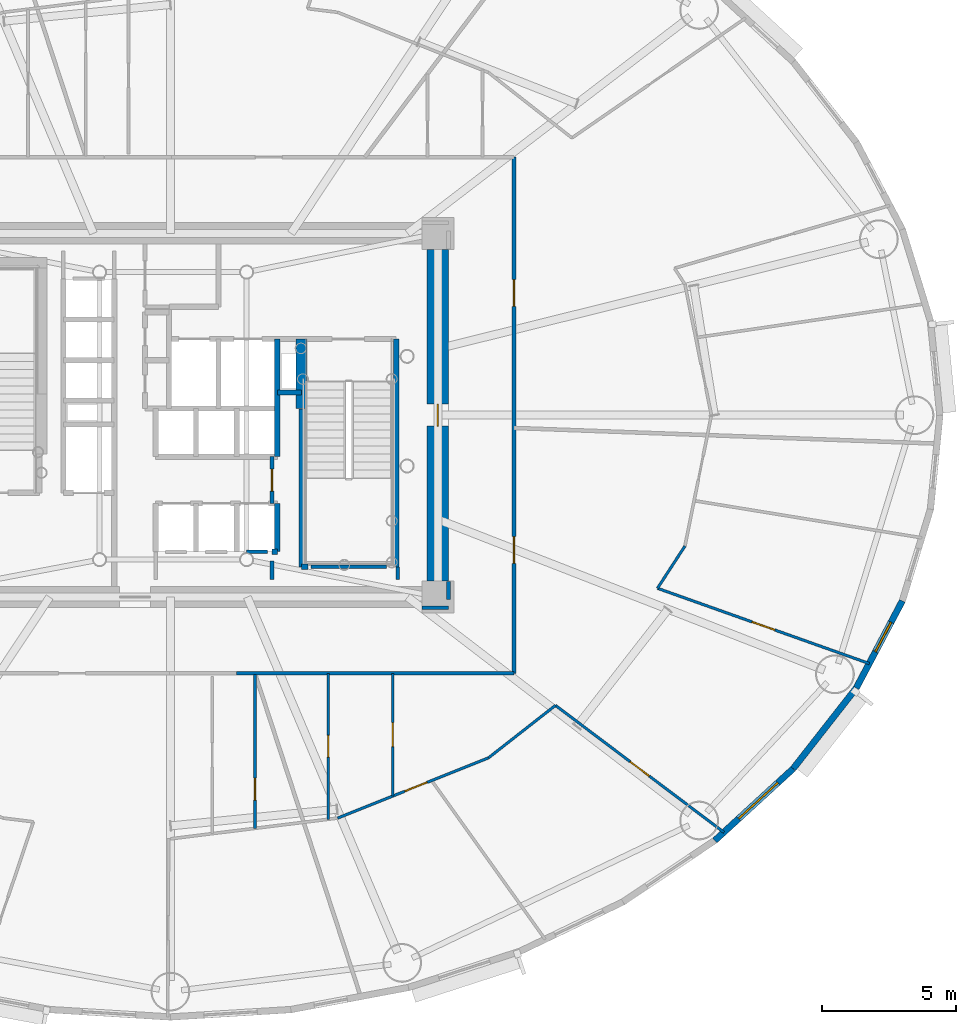
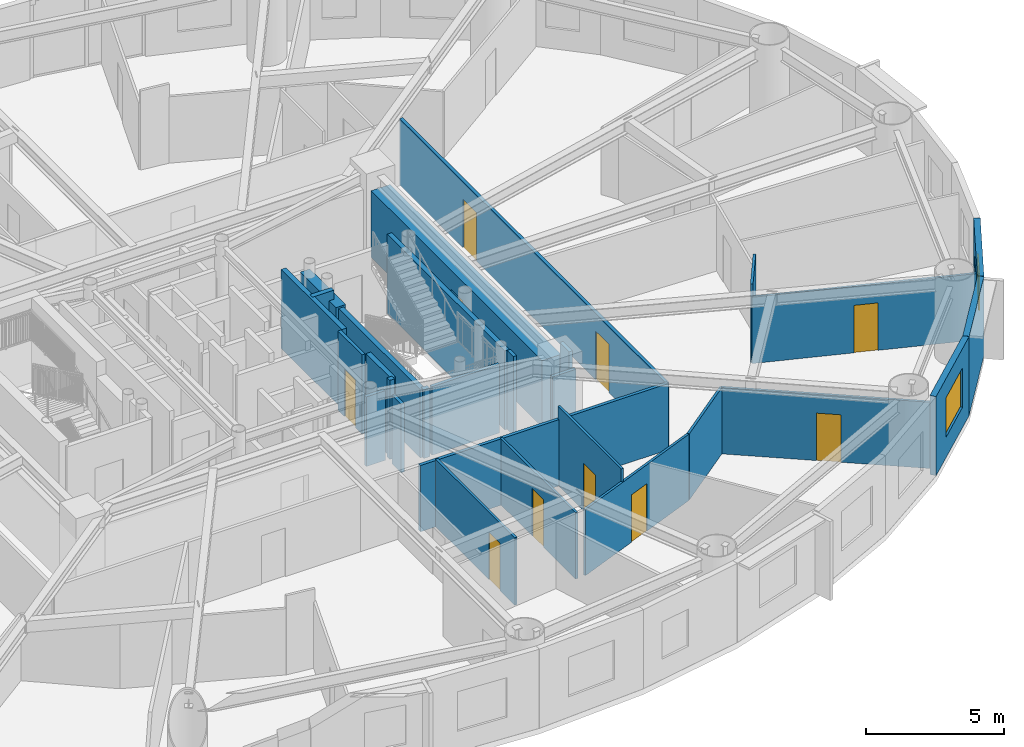
# One storey, part 11 of 19: 29 walls, 10 doors, 2 windows, 12 openings.
"""IFC4 building model written with IfcOpenShell, lengths in metres."""

from ifc_helpers import new_model, si_unit, direction, frame, frame_2d, origin, origin_2d, place, context, subcontext, project, spatial, rectangle, extrude, source, transform, mapped, material, layer, layer_set, type_object, element, fill, save


model = new_model("IFC4")

# Units and contexts
model_context = context("Model", 3, precision=1e-05, world=origin(), true_north=direction((0.0, 1.0)))
body_context = subcontext(model_context, "Body", "Model", "MODEL_VIEW")
ifc_project = project(units=[si_unit("LENGTHUNIT", "METRE"), si_unit("AREAUNIT", "SQUARE_METRE"), si_unit("VOLUMEUNIT", "CUBIC_METRE"), si_unit("PLANEANGLEUNIT", "RADIAN"), si_unit("MASSUNIT", "GRAM", prefix="KILO")], contexts=[model_context])

# Site, building, storey
site_placement = place(None, origin())
site = spatial("IfcSite", under=ifc_project, at=site_placement, CompositionType="ELEMENT")
building_placement = place(site_placement, origin())
building = spatial("IfcBuilding", under=site, at=building_placement, Name="Linh Dai School and Residence Tower", CompositionType="ELEMENT")
storey_placement = place(building_placement, frame((0.0, 0.0, 112.199951171875)))
storey = spatial("IfcBuildingStorey", under=building, at=storey_placement, Name="L26", CompositionType="ELEMENT", Elevation=112.199951171875)

# Wall, opening, window
ifc_material_1 = material(Name="Precast Concrete B45 (C35/45)", Category="concrete")
ifc_layer_1 = layer(ifc_material_1, 0.239990234375)
ifc_layer_set_1 = layer_set([ifc_layer_1], Name="Precast Concrete B45 (C35/45)")
wall_type_1 = type_object("IfcWallType", Name="EW-TC-240", PredefinedType="SOLIDWALL", material=ifc_layer_set_1)
wall_1_placement = place(storey_placement, frame((59.2890625, 13.783447265625, 0.0), z_axis=(0.0, 0.0, 1.0), x_axis=(-0.737113356241, -0.675769117414, 0.0)))
wall_1 = element("IfcWall", 1, at=wall_1_placement, inside=storey, type_object=wall_type_1, Name="L26 Terracotta Exterior Wall 36", PredefinedType="SOLIDWALL", context=body_context, shape_type="SweptSolid", body=[
    extrude(rectangle(XDim=3.975830078125, YDim=0.239990234375, at=frame_2d((1.98779296875, 0.0))), origin(), (0.0, 0.0, 1.0), 3.5),
])
opening_1_placement = place(wall_1_placement, frame((0.776123046875, 0.0, 0.89990234375)))
opening_1 = element("IfcOpeningElement", 2, at=opening_1_placement, cuts=wall_1, Name="Opening W1", PredefinedType="OPENING", context=body_context, shape_type="SweptSolid", body=[
    extrude(rectangle(XDim=2.0, YDim=1.75, at=origin_2d()), frame((1.0, 0.1298828125, 0.875), z_axis=(0.0, -1.0, 0.0), x_axis=(1.0, 0.0, 0.0)), (0.0, 0.0, 1.0), 0.260009765625),
])
ifc_material_2 = material(Name="Double Low-E Insulated Glazing", Category="glass")
window_type_1 = type_object("IfcWindowType", Name="WN-RES-2000x1750", PartitioningType="DOUBLE_PANEL_VERTICAL", PredefinedType="WINDOW", material=ifc_material_2)
shared_shape_1 = source(origin(), body_context, "Body", "SweptSolid", [
    extrude(rectangle(XDim=2.0, YDim=1.75, at=origin_2d()), frame((1.0, 0.030029296875, 0.875), z_axis=(0.0, -1.0, 0.0), x_axis=(1.0, 0.0, 0.0)), (0.0, 0.0, 1.0), 0.06005859375),
])
window_1_placement = place(opening_1_placement, origin())
window_1 = element("IfcWindow", 3, at=window_1_placement, inside=storey, type_object=window_type_1, Name="L26 Exterior Window 36.1", OverallHeight=1.75, OverallWidth=2.0, PartitioningType="DOUBLE_PANEL_VERTICAL", PredefinedType="WINDOW", context=body_context, shape_type="MappedRepresentation", body=[
    mapped(shared_shape_1, transform((0.0, 0.0, 0.0), x_axis=(1.0, 0.0, 0.0), y_axis=(0.0, 1.0, 0.0), z_axis=(0.0, 0.0, 1.0), scale=1.0)),
])
fill(opening_1, window_1)

# Wall
wall_2_placement = place(storey_placement, frame((61.645263671875, 16.79443359375, 0.0), z_axis=(0.0, 0.0, 1.0), x_axis=(-0.616272103517, -0.787533297345, 0.0)))
element("IfcWall", 4, at=wall_2_placement, inside=storey, type_object=wall_type_1, Name="L26 Terracotta Exterior Wall 37", PredefinedType="SOLIDWALL", context=body_context, shape_type="SweptSolid", body=[
    extrude(rectangle(XDim=3.8232421875, YDim=0.239990234375, at=frame_2d((1.91162109375, 0.0))), origin(), (0.0, 0.0, 1.0), 3.5),
])

# Wall, opening, window
wall_3_placement = place(storey_placement, frame((63.3701171875, 20.054931640625, 0.0), z_axis=(0.0, 0.0, 1.0), x_axis=(-0.467614004126, -0.883932770716, 0.0)))
wall_3 = element("IfcWall", 5, at=wall_3_placement, inside=storey, type_object=wall_type_1, Name="L26 Terracotta Exterior Wall 38", PredefinedType="SOLIDWALL", context=body_context, shape_type="SweptSolid", body=[
    extrude(rectangle(XDim=3.688720703125, YDim=0.239990234375, at=frame_2d((1.84423828125, 0.0))), origin(), (0.0, 0.0, 1.0), 3.5),
])
opening_2_placement = place(wall_3_placement, frame((0.90380859375, 0.0, 0.89990234375)))
opening_2 = element("IfcOpeningElement", 6, at=opening_2_placement, cuts=wall_3, Name="Opening W3", PredefinedType="OPENING", context=body_context, shape_type="SweptSolid", body=[
    extrude(rectangle(XDim=1.25, YDim=1.64990234375, at=origin_2d()), frame((0.625, 0.1298828125, 0.824951171875), z_axis=(0.0, -1.0, 0.0), x_axis=(1.0, 0.0, 0.0)), (0.0, 0.0, 1.0), 0.260009765625),
])
window_type_2 = type_object("IfcWindowType", Name="WN-RES-1250x1650", PartitioningType="SINGLE_PANEL", PredefinedType="WINDOW", material=ifc_material_2)
shared_shape_2 = source(origin(), body_context, "Body", "SweptSolid", [
    extrude(rectangle(XDim=1.25, YDim=1.64990234375, at=origin_2d()), frame((0.625, 0.030029296875, 0.824951171875), z_axis=(0.0, -1.0, 0.0), x_axis=(1.0, 0.0, 0.0)), (0.0, 0.0, 1.0), 0.06005859375),
])
window_2_placement = place(opening_2_placement, origin())
window_2 = element("IfcWindow", 7, at=window_2_placement, inside=storey, type_object=window_type_2, Name="L26 Exterior Window 38.1", OverallHeight=1.64990234375, OverallWidth=1.25, PartitioningType="SINGLE_PANEL", PredefinedType="WINDOW", context=body_context, shape_type="MappedRepresentation", body=[
    mapped(shared_shape_2, transform((0.0, 0.0, 0.0), x_axis=(1.0, 0.0, 0.0), y_axis=(0.0, 1.0, 0.0), z_axis=(0.0, 0.0, 1.0), scale=1.0)),
])
fill(opening_2, window_2)

# Wall
ifc_material_3 = material(Name="Autoclaved Aerated Concrete Blockwork", Category="masonry")
ifc_layer_2 = layer(ifc_material_3, 0.135009765625)
ifc_layer_set_2 = layer_set([ifc_layer_2], Name="Autoclaved Aerated Concrete Blockwork")
wall_type_2 = type_object("IfcWallType", Name="IW-CORR-135-EI90", PredefinedType="PARTITIONING", material=ifc_layer_set_2)
wall_4_placement = place(storey_placement, frame((38.47705078125, 17.35009765625, 0.0), z_axis=(0.0, 0.0, 1.0), x_axis=(1.0, 0.0, 0.0)))
element("IfcWall", 8, at=wall_4_placement, inside=storey, type_object=wall_type_2, Name="L26 Interior Partition Wall 064", PredefinedType="PARTITIONING", context=body_context, shape_type="SweptSolid", body=[
    extrude(rectangle(XDim=10.373046875, YDim=0.135009765625, at=frame_2d((5.1865234375, 0.0))), origin(), (0.0, 0.0, 1.0), 2.93505859375),
])

# Wall, opening, door
wall_5_placement = place(storey_placement, frame((39.800048828125, 23.699951171875, 0.0), z_axis=(0.0, 0.0, 1.0), x_axis=(0.0, 1.0, 0.0)))
wall_5 = element("IfcWall", 9, at=wall_5_placement, inside=storey, type_object=wall_type_2, Name="L26 Interior Partition Wall 070", PredefinedType="PARTITIONING", context=body_context, shape_type="SweptSolid", body=[
    extrude(rectangle(XDim=1.75, YDim=0.135009765625, at=frame_2d((0.875, 0.0))), origin(), (0.0, 0.0, 1.0), 3.5),
])
opening_3_placement = place(wall_5_placement, frame((0.465087890625, 0.0, 0.0)))
opening_3 = element("IfcOpeningElement", 10, at=opening_3_placement, cuts=wall_5, Name="Opening D06", PredefinedType="OPENING", context=body_context, shape_type="SweptSolid", body=[
    extrude(rectangle(XDim=0.820068359375, YDim=2.10009765625, at=origin_2d()), frame((0.41015625, 0.07763671875, 1.050048828125), z_axis=(0.0, -1.0, 0.0), x_axis=(1.0, 0.0, 0.0)), (0.0, 0.0, 1.0), 0.155029296875),
])
ifc_material_4 = material(Name="Moisture-Resistant Timber Bathroom Door", Category="wood")
door_type_1 = type_object("IfcDoorType", Name="DR-WET-820x2100", OperationType="NOTDEFINED", PredefinedType="DOOR", material=ifc_material_4)
shared_shape_3 = source(origin(), body_context, "Body", "SweptSolid", [
    extrude(rectangle(XDim=0.820068359375, YDim=2.10009765625, at=origin_2d()), frame((0.41015625, 0.02490234375, 1.050048828125), z_axis=(0.0, -1.0, 0.0), x_axis=(1.0, 0.0, 0.0)), (0.0, 0.0, 1.0), 0.050048828125),
])
door_1_placement = place(opening_3_placement, origin())
door_1 = element("IfcDoor", 11, at=door_1_placement, inside=storey, type_object=door_type_1, Name="L26 East Linen Store Door", OperationType="SINGLE_SWING_RIGHT", OverallHeight=2.10009765625, OverallWidth=0.820068359375, PredefinedType="DOOR", context=body_context, shape_type="MappedRepresentation", body=[
    mapped(shared_shape_3, transform((0.0, 0.0, 0.0), x_axis=(1.0, 0.0, 0.0), y_axis=(0.0, 1.0, 0.0), z_axis=(0.0, 0.0, 1.0), scale=1.0)),
])
fill(opening_3, door_1)

# Wall, openings, doors
wall_6_placement = place(storey_placement, frame((48.85009765625, 17.35009765625, 0.0), z_axis=(0.0, 0.0, 1.0), x_axis=(0.0, 1.0, 0.0)))
wall_6 = element("IfcWall", 12, at=wall_6_placement, inside=storey, type_object=wall_type_2, Name="L26 Interior Partition Wall 089", PredefinedType="PARTITIONING", context=body_context, shape_type="SweptSolid", body=[
    extrude(rectangle(XDim=19.2998046875, YDim=0.135009765625, at=frame_2d((9.64990234375, 0.0))), origin(), (0.0, 0.0, 1.0), 2.93505859375),
])
opening_4_placement = place(wall_6_placement, frame((4.106689453125, 0.0, 0.0)))
opening_4 = element("IfcOpeningElement", 13, at=opening_4_placement, cuts=wall_6, Name="Opening D03", PredefinedType="OPENING", context=body_context, shape_type="SweptSolid", body=[
    extrude(rectangle(XDim=1.0, YDim=2.14990234375, at=origin_2d()), frame((0.5, 0.07763671875, 1.074951171875), z_axis=(0.0, -1.0, 0.0), x_axis=(1.0, 0.0, 0.0)), (0.0, 0.0, 1.0), 0.155029296875),
])
opening_5_placement = place(wall_6_placement, frame((13.716552734375, 0.0, 0.0)))
opening_5 = element("IfcOpeningElement", 14, at=opening_5_placement, cuts=wall_6, Name="Opening D03", PredefinedType="OPENING", context=body_context, shape_type="SweptSolid", body=[
    extrude(rectangle(XDim=1.0, YDim=2.14990234375, at=origin_2d()), frame((0.5, 0.07763671875, 1.074951171875), z_axis=(0.0, -1.0, 0.0), x_axis=(1.0, 0.0, 0.0)), (0.0, 0.0, 1.0), 0.155029296875),
])
ifc_material_5 = material(Name="Fire-Rated Solid Timber Entrance Door", Category="wood")
door_type_2 = type_object("IfcDoorType", Name="DR-FLAT-1000x2150-FD60S", OperationType="NOTDEFINED", PredefinedType="DOOR", material=ifc_material_5)
shared_shape_4 = source(origin(), body_context, "Body", "SweptSolid", [
    extrude(rectangle(XDim=1.0, YDim=2.14990234375, at=origin_2d()), frame((0.5, 0.02490234375, 1.074951171875), z_axis=(0.0, -1.0, 0.0), x_axis=(1.0, 0.0, 0.0)), (0.0, 0.0, 1.0), 0.050048828125),
])
door_2_placement = place(opening_4_placement, origin())
door_2 = element("IfcDoor", 15, at=door_2_placement, inside=storey, type_object=door_type_2, Name="L26 U2605 Apartment Entrance Door", OperationType="SINGLE_SWING_RIGHT", OverallHeight=2.14990234375, OverallWidth=1.0, PredefinedType="DOOR", context=body_context, shape_type="MappedRepresentation", body=[
    mapped(shared_shape_4, transform((0.0, 0.0, 0.0), x_axis=(1.0, 0.0, 0.0), y_axis=(0.0, 1.0, 0.0), z_axis=(0.0, 0.0, 1.0), scale=1.0)),
])
fill(opening_4, door_2)
door_3_placement = place(opening_5_placement, origin())
door_3 = element("IfcDoor", 16, at=door_3_placement, inside=storey, type_object=door_type_2, Name="L26 U2606 Apartment Entrance Door", OperationType="SINGLE_SWING_LEFT", OverallHeight=2.14990234375, OverallWidth=1.0, PredefinedType="DOOR", context=body_context, shape_type="MappedRepresentation", body=[
    mapped(shared_shape_4, transform((0.0, 0.0, 0.0), x_axis=(1.0, 0.0, 0.0), y_axis=(0.0, 1.0, 0.0), z_axis=(0.0, 0.0, 1.0), scale=1.0)),
])
fill(opening_5, door_3)

# Walls
wall_7_placement = place(storey_placement, frame((44.080078125, 21.330078125, 0.0), z_axis=(0.0, 0.0, 1.0), x_axis=(-1.0, 0.0, 0.0)))
element("IfcWall", 17, at=wall_7_placement, inside=storey, type_object=wall_type_2, Name="L26 Interior Partition Wall 101", PredefinedType="PARTITIONING", context=body_context, shape_type="SweptSolid", body=[
    extrude(rectangle(XDim=2.820068359375, YDim=0.135009765625, at=frame_2d((1.41015625, 0.0))), origin(), (0.0, 0.0, 1.0), 3.03515625),
])
wall_8_placement = place(storey_placement, frame((39.639892578125, 21.89990234375, 0.0), z_axis=(0.0, 0.0, 1.0), x_axis=(-1.0, 0.0, 0.0)))
element("IfcWall", 18, at=wall_8_placement, inside=storey, type_object=wall_type_2, Name="L26 Interior Partition Wall 104", PredefinedType="PARTITIONING", context=body_context, shape_type="SweptSolid", body=[
    extrude(rectangle(XDim=0.7998046875, YDim=0.135009765625, at=frame_2d((0.39990234375, 0.0))), origin(), (0.0, 0.0, 1.0), 3.0849609375),
])
wall_9_placement = place(storey_placement, frame((39.800048828125, 20.860107421875, 0.0), z_axis=(0.0, 0.0, 1.0), x_axis=(0.0, 1.0, 0.0)))
element("IfcWall", 19, at=wall_9_placement, inside=storey, type_object=wall_type_2, Name="L26 Interior Partition Wall 106", PredefinedType="PARTITIONING", context=body_context, shape_type="SweptSolid", body=[
    extrude(rectangle(XDim=0.679931640625, YDim=0.135009765625, at=frame_2d((0.33984375, 0.0))), origin(), (0.0, 0.0, 1.0), 3.03515625),
])
wall_10_placement = place(storey_placement, frame((44.5, 20.860107421875, 0.0), z_axis=(0.0, 0.0, 1.0), x_axis=(0.0, 1.0, 0.0)))
element("IfcWall", 20, at=wall_10_placement, inside=storey, type_object=wall_type_2, Name="L26 Interior Partition Wall 108", PredefinedType="PARTITIONING", context=body_context, shape_type="SweptSolid", body=[
    extrude(rectangle(XDim=0.4599609375, YDim=0.135009765625, at=frame_2d((0.22998046875, 0.0))), origin(), (0.0, 0.0, 1.0), 3.5),
])
wall_11_placement = place(storey_placement, frame((45.409912109375, 19.800048828125, 0.0), z_axis=(0.0, 0.0, 1.0), x_axis=(1.0, 0.0, 0.0)))
element("IfcWall", 21, at=wall_11_placement, inside=storey, type_object=wall_type_2, Name="L26 Interior Partition Wall 118", PredefinedType="PARTITIONING", context=body_context, shape_type="SweptSolid", body=[
    extrude(rectangle(XDim=0.989990234375, YDim=0.135009765625, at=frame_2d((0.4951171875, 0.0))), origin(), (0.0, 0.0, 1.0), 2.93505859375),
])
wall_12_placement = place(storey_placement, frame((46.39990234375, 20.107421875, 0.0), z_axis=(0.0, 0.0, 1.0), x_axis=(0.0, 1.0, 0.0)))
element("IfcWall", 22, at=wall_12_placement, inside=storey, type_object=wall_type_2, Name="L26 Interior Partition Wall 119", PredefinedType="PARTITIONING", context=body_context, shape_type="SweptSolid", body=[
    extrude(rectangle(XDim=0.6826171875, YDim=0.135009765625, at=frame_2d((0.34130859375, 0.0))), origin(), (0.0, 0.0, 1.0), 3.5),
])
ifc_material_6 = material(Name="Concrete B45 (C35/45)", Category="concrete")
ifc_layer_3 = layer(ifc_material_6, 0.199951171875)
ifc_layer_set_3 = layer_set([ifc_layer_3], Name="Concrete B45 (C35/45)")
wall_type_3 = type_object("IfcWallType", Name="IW-SHAFT-200-EI120", PredefinedType="PARTITIONING", material=ifc_layer_set_3)
wall_13_placement = place(storey_placement, frame((39.800048828125, 21.89990234375, 0.0), z_axis=(0.0, 0.0, 1.0), x_axis=(1.0, 0.0, 0.0)))
element("IfcWall", 23, at=wall_13_placement, inside=storey, type_object=wall_type_3, Name="L26 Interior Partition Wall 069", PredefinedType="PARTITIONING", context=body_context, shape_type="SweptSolid", body=[
    extrude(rectangle(XDim=0.199951171875, YDim=0.199951171875, at=frame_2d((0.10009765625, 0.0))), origin(), (0.0, 0.0, 1.0), 3.5),
])
wall_14_placement = place(storey_placement, frame((40.0, 21.89990234375, 0.0), z_axis=(0.0, 0.0, 1.0), x_axis=(0.0, 1.0, 0.0)))
element("IfcWall", 24, at=wall_14_placement, inside=storey, type_object=wall_type_3, Name="L26 Interior Partition Wall 071", PredefinedType="PARTITIONING", context=body_context, shape_type="SweptSolid", body=[
    extrude(rectangle(XDim=1.800048828125, YDim=0.199951171875, at=frame_2d((0.89990234375, 0.0))), origin(), (0.0, 0.0, 1.0), 3.5),
])
wall_15_placement = place(storey_placement, frame((40.0, 25.449951171875, 0.0), z_axis=(0.0, 0.0, 1.0), x_axis=(0.0, 1.0, 0.0)))
element("IfcWall", 25, at=wall_15_placement, inside=storey, type_object=wall_type_3, Name="L26 Interior Partition Wall 072", PredefinedType="PARTITIONING", context=body_context, shape_type="SweptSolid", body=[
    extrude(rectangle(XDim=4.400146484375, YDim=0.199951171875, at=frame_2d((2.2001953125, 0.0))), origin(), (0.0, 0.0, 1.0), 3.5),
])
wall_16_placement = place(storey_placement, frame((40.0, 27.85009765625, 0.0), z_axis=(0.0, 0.0, 1.0), x_axis=(1.0, 0.0, 0.0)))
element("IfcWall", 26, at=wall_16_placement, inside=storey, type_object=wall_type_3, Name="L26 Interior Partition Wall 073", PredefinedType="PARTITIONING", context=body_context, shape_type="SweptSolid", body=[
    extrude(rectangle(XDim=0.89990234375, YDim=0.199951171875, at=frame_2d((0.449951171875, 0.0))), origin(), (0.0, 0.0, 1.0), 3.5),
])
wall_17_placement = place(storey_placement, frame((40.89990234375, 21.330078125, 0.0), z_axis=(0.0, 0.0, 1.0), x_axis=(0.0, 1.0, 0.0)))
element("IfcWall", 27, at=wall_17_placement, inside=storey, type_object=wall_type_3, Name="L26 Interior Partition Wall 074", PredefinedType="PARTITIONING", context=body_context, shape_type="SweptSolid", body=[
    extrude(rectangle(XDim=5.909912109375, YDim=0.199951171875, at=frame_2d((2.955078125, 0.0))), origin(), (0.0, 0.0, 1.0), 3.03515625),
])
wall_18_placement = place(storey_placement, frame((40.89990234375, 21.330078125, 0.0), z_axis=(0.0, 0.0, 1.0), x_axis=(1.0, 0.0, 0.0)))
element("IfcWall", 28, at=wall_18_placement, inside=storey, type_object=wall_type_3, Name="L26 Interior Partition Wall 075", PredefinedType="PARTITIONING", context=body_context, shape_type="SweptSolid", body=[
    extrude(rectangle(XDim=0.25, YDim=0.199951171875, at=frame_2d((0.125, 0.0))), origin(), (0.0, 0.0, 1.0), 3.03515625),
])
wall_19_placement = place(storey_placement, frame((44.43994140625, 21.330078125, 0.0), z_axis=(0.0, 0.0, 1.0), x_axis=(0.0, 1.0, 0.0)))
element("IfcWall", 29, at=wall_19_placement, inside=storey, type_object=wall_type_3, Name="L26 Interior Partition Wall 083", PredefinedType="PARTITIONING", context=body_context, shape_type="SweptSolid", body=[
    extrude(rectangle(XDim=8.52001953125, YDim=0.199951171875, at=frame_2d((4.260009765625, 0.0))), origin(), (0.0, 0.0, 1.0), 3.5),
])

# Wall, opening, door
ifc_material_7 = material(Name="Gypsum Plasterboard Acoustic Stud Partition", Category="masonry")
ifc_layer_4 = layer(ifc_material_7, 0.10009765625)
ifc_layer_set_4 = layer_set([ifc_layer_4], Name="Gypsum Plasterboard Acoustic Stud Partition")
wall_type_4 = type_object("IfcWallType", Name="IW-UNIT-100", PredefinedType="PARTITIONING", material=ifc_layer_set_4)
wall_20_placement = place(storey_placement, frame((39.164306640625, 11.551513671875, 0.0), z_axis=(0.0, 0.0, 1.0), x_axis=(0.0, 1.0, 0.0)))
wall_20 = element("IfcWall", 30, at=wall_20_placement, inside=storey, type_object=wall_type_4, Name="L26 Interior Partition Wall 067", PredefinedType="PARTITIONING", context=body_context, shape_type="SweptSolid", body=[
    extrude(rectangle(XDim=5.747802734375, YDim=0.10009765625, at=frame_2d((2.8740234375, 0.0))), origin(), (0.0, 0.0, 1.0), 2.985107421875),
])
opening_6_placement = place(wall_20_placement, frame((1.0576171875, 0.0, 0.0)))
opening_6 = element("IfcOpeningElement", 31, at=opening_6_placement, cuts=wall_20, Name="Opening D06", PredefinedType="OPENING", context=body_context, shape_type="SweptSolid", body=[
    extrude(rectangle(XDim=0.820068359375, YDim=2.10009765625, at=origin_2d()), frame((0.41015625, 0.06005859375, 1.050048828125), z_axis=(0.0, -1.0, 0.0), x_axis=(1.0, 0.0, 0.0)), (0.0, 0.0, 1.0), 0.1201171875),
])
door_4_placement = place(opening_6_placement, origin())
door_4 = element("IfcDoor", 32, at=door_4_placement, inside=storey, type_object=door_type_1, Name="L26 Apartment U2604 Bathroom 1 Door", OperationType="SINGLE_SWING_LEFT", OverallHeight=2.10009765625, OverallWidth=0.820068359375, PredefinedType="DOOR", context=body_context, shape_type="MappedRepresentation", body=[
    mapped(shared_shape_3, transform((0.0, 0.0, 0.0), x_axis=(1.0, 0.0, 0.0), y_axis=(0.0, 1.0, 0.0), z_axis=(0.0, 0.0, 1.0), scale=1.0)),
])
fill(opening_6, door_4)

wall_21_placement = place(storey_placement, frame((41.9013671875, 11.890869140625, 0.0), z_axis=(0.0, 0.0, 1.0), x_axis=(0.0, 1.0, 0.0)))
wall_21 = element("IfcWall", 33, at=wall_21_placement, inside=storey, type_object=wall_type_4, Name="L26 Interior Partition Wall 078", PredefinedType="PARTITIONING", context=body_context, shape_type="SweptSolid", body=[
    extrude(rectangle(XDim=5.459228515625, YDim=0.10009765625, at=frame_2d((2.7294921875, 0.0))), origin(), (0.0, 0.0, 1.0), 2.93505859375),
])
opening_7_placement = place(wall_21_placement, frame((2.319580078125, 0.0, 0.0)))
opening_7 = element("IfcOpeningElement", 34, at=opening_7_placement, cuts=wall_21, Name="Opening D06", PredefinedType="OPENING", context=body_context, shape_type="SweptSolid", body=[
    extrude(rectangle(XDim=0.820068359375, YDim=2.10009765625, at=origin_2d()), frame((0.41015625, 0.06005859375, 1.050048828125), z_axis=(0.0, -1.0, 0.0), x_axis=(1.0, 0.0, 0.0)), (0.0, 0.0, 1.0), 0.1201171875),
])
door_5_placement = place(opening_7_placement, origin())
door_5 = element("IfcDoor", 35, at=door_5_placement, inside=storey, type_object=door_type_1, Name="L26 Apartment U2605 Bathroom 1 Door", OperationType="SINGLE_SWING_RIGHT", OverallHeight=2.10009765625, OverallWidth=0.820068359375, PredefinedType="DOOR", context=body_context, shape_type="MappedRepresentation", body=[
    mapped(shared_shape_3, transform((0.0, 0.0, 0.0), x_axis=(1.0, 0.0, 0.0), y_axis=(0.0, 1.0, 0.0), z_axis=(0.0, 0.0, 1.0), scale=1.0)),
])
fill(opening_7, door_5)

wall_22_placement = place(storey_placement, frame((42.25146484375, 11.934326171875, 0.0), z_axis=(0.0, 0.0, 1.0), x_axis=(0.928803554156, 0.370572473055, 0.0)))
wall_22 = element("IfcWall", 36, at=wall_22_placement, inside=storey, type_object=wall_type_4, Name="L26 Interior Partition Wall 079", PredefinedType="PARTITIONING", context=body_context, shape_type="SweptSolid", body=[
    extrude(rectangle(XDim=6.07177734375, YDim=0.10009765625, at=frame_2d((3.035888671875, 0.0))), origin(), (0.0, 0.0, 1.0), 2.93505859375),
])
opening_8_placement = place(wall_22_placement, frame((2.705078125, 0.0, 0.0)))
opening_8 = element("IfcOpeningElement", 37, at=opening_8_placement, cuts=wall_22, Name="Opening D05", PredefinedType="OPENING", context=body_context, shape_type="SweptSolid", body=[
    extrude(rectangle(XDim=0.89990234375, YDim=2.10009765625, at=origin_2d()), frame((0.449951171875, 0.06005859375, 1.050048828125), z_axis=(0.0, -1.0, 0.0), x_axis=(1.0, 0.0, 0.0)), (0.0, 0.0, 1.0), 0.1201171875),
])
ifc_material_8 = material(Name="Engineered Timber Internal Door", Category="wood")
door_type_3 = type_object("IfcDoorType", Name="DR-INT-900x2100", OperationType="NOTDEFINED", PredefinedType="DOOR", material=ifc_material_8)
shared_shape_5 = source(origin(), body_context, "Body", "SweptSolid", [
    extrude(rectangle(XDim=0.89990234375, YDim=2.10009765625, at=origin_2d()), frame((0.449951171875, 0.02490234375, 1.050048828125), z_axis=(0.0, -1.0, 0.0), x_axis=(1.0, 0.0, 0.0)), (0.0, 0.0, 1.0), 0.050048828125),
])
door_6_placement = place(opening_8_placement, origin())
door_6 = element("IfcDoor", 38, at=door_6_placement, inside=storey, type_object=door_type_3, Name="L26 Apartment U2605 Principal Bedroom 1 Door", OperationType="SINGLE_SWING_LEFT", OverallHeight=2.10009765625, OverallWidth=0.89990234375, PredefinedType="DOOR", context=body_context, shape_type="MappedRepresentation", body=[
    mapped(shared_shape_5, transform((0.0, 0.0, 0.0), x_axis=(1.0, 0.0, 0.0), y_axis=(0.0, 1.0, 0.0), z_axis=(0.0, 0.0, 1.0), scale=1.0)),
])
fill(opening_8, door_6)

wall_23_placement = place(storey_placement, frame((44.314697265625, 12.757568359375, 0.0), z_axis=(0.0, 0.0, 1.0), x_axis=(0.0, 1.0, 0.0)))
wall_23 = element("IfcWall", 39, at=wall_23_placement, inside=storey, type_object=wall_type_4, Name="L26 Interior Partition Wall 082", PredefinedType="PARTITIONING", context=body_context, shape_type="SweptSolid", body=[
    extrude(rectangle(XDim=4.592529296875, YDim=0.10009765625, at=frame_2d((2.29638671875, 0.0))), origin(), (0.0, 0.0, 1.0), 3.5),
])
opening_9_placement = place(wall_23_placement, frame((1.84619140625, 0.0, 0.0)))
opening_9 = element("IfcOpeningElement", 40, at=opening_9_placement, cuts=wall_23, Name="Opening D05", PredefinedType="OPENING", context=body_context, shape_type="SweptSolid", body=[
    extrude(rectangle(XDim=0.89990234375, YDim=2.10009765625, at=origin_2d()), frame((0.449951171875, 0.06005859375, 1.050048828125), z_axis=(0.0, -1.0, 0.0), x_axis=(1.0, 0.0, 0.0)), (0.0, 0.0, 1.0), 0.1201171875),
])
door_7_placement = place(opening_9_placement, origin())
door_7 = element("IfcDoor", 41, at=door_7_placement, inside=storey, type_object=door_type_3, Name="L26 Apartment U2605 Kitchen Door", OperationType="SINGLE_SWING_LEFT", OverallHeight=2.10009765625, OverallWidth=0.89990234375, PredefinedType="DOOR", context=body_context, shape_type="MappedRepresentation", body=[
    mapped(shared_shape_5, transform((0.0, 0.0, 0.0), x_axis=(1.0, 0.0, 0.0), y_axis=(0.0, 1.0, 0.0), z_axis=(0.0, 0.0, 1.0), scale=1.0)),
])
fill(opening_9, door_7)

# Wall
wall_24_placement = place(storey_placement, frame((47.890869140625, 14.184326171875, 0.0), z_axis=(0.0, 0.0, 1.0), x_axis=(0.787351391371, 0.616504490256, 0.0)))
element("IfcWall", 42, at=wall_24_placement, inside=storey, type_object=wall_type_4, Name="L26 Interior Partition Wall 087", PredefinedType="PARTITIONING", context=body_context, shape_type="SweptSolid", body=[
    extrude(rectangle(XDim=3.186767578125, YDim=0.10009765625, at=frame_2d((1.59326171875, 0.0))), origin(), (0.0, 0.0, 1.0), 2.93505859375),
])

# Wall, opening, door
wall_25_placement = place(storey_placement, frame((50.39990234375, 16.14892578125, 0.0), z_axis=(0.0, 0.0, 1.0), x_axis=(0.79862729849, -0.601825920102, 0.0)))
wall_25 = element("IfcWall", 43, at=wall_25_placement, inside=storey, type_object=wall_type_4, Name="L26 Interior Partition Wall 091", PredefinedType="PARTITIONING", context=body_context, shape_type="SweptSolid", body=[
    extrude(rectangle(XDim=7.887451171875, YDim=0.10009765625, at=frame_2d((3.94384765625, 0.0))), origin(), (0.0, 0.0, 1.0), 2.93505859375),
])
opening_10_placement = place(wall_25_placement, frame((3.49365234375, 0.0, 0.0)))
opening_10 = element("IfcOpeningElement", 44, at=opening_10_placement, cuts=wall_25, Name="Opening D05", PredefinedType="OPENING", context=body_context, shape_type="SweptSolid", body=[
    extrude(rectangle(XDim=0.89990234375, YDim=2.10009765625, at=origin_2d()), frame((0.449951171875, 0.06005859375, 1.050048828125), z_axis=(0.0, -1.0, 0.0), x_axis=(1.0, 0.0, 0.0)), (0.0, 0.0, 1.0), 0.1201171875),
])
door_8_placement = place(opening_10_placement, origin())
door_8 = element("IfcDoor", 45, at=door_8_placement, inside=storey, type_object=door_type_3, Name="L26 Apartment U2605 Principal Bedroom 2 Door", OperationType="SINGLE_SWING_RIGHT", OverallHeight=2.10009765625, OverallWidth=0.89990234375, PredefinedType="DOOR", context=body_context, shape_type="MappedRepresentation", body=[
    mapped(shared_shape_5, transform((0.0, 0.0, 0.0), x_axis=(1.0, 0.0, 0.0), y_axis=(0.0, 1.0, 0.0), z_axis=(0.0, 0.0, 1.0), scale=1.0)),
])
fill(opening_10, door_8)

# Wall
wall_26_placement = place(storey_placement, frame((54.213623046875, 20.52783203125, 0.0), z_axis=(0.0, 0.0, 1.0), x_axis=(0.545444312607, 0.838147064568, 0.0)))
element("IfcWall", 46, at=wall_26_placement, inside=storey, type_object=wall_type_4, Name="L26 Interior Partition Wall 093", PredefinedType="PARTITIONING", context=body_context, shape_type="SweptSolid", body=[
    extrude(rectangle(XDim=1.881591796875, YDim=0.10009765625, at=frame_2d((0.94091796875, 0.0))), origin(), (0.0, 0.0, 1.0), 3.5),
])

# Wall, opening, door
wall_27_placement = place(storey_placement, frame((54.213623046875, 20.52783203125, 0.0), z_axis=(0.0, 0.0, 1.0), x_axis=(0.942277402903, -0.334833236073, 0.0)))
wall_27 = element("IfcWall", 47, at=wall_27_placement, inside=storey, type_object=wall_type_4, Name="L26 Interior Partition Wall 094", PredefinedType="PARTITIONING", context=body_context, shape_type="SweptSolid", body=[
    extrude(rectangle(XDim=8.408447265625, YDim=0.10009765625, at=frame_2d((4.2041015625, 0.0))), origin(), (0.0, 0.0, 1.0), 2.93505859375),
])
opening_11_placement = place(wall_27_placement, frame((3.754150390625, 0.0, 0.0)))
opening_11 = element("IfcOpeningElement", 48, at=opening_11_placement, cuts=wall_27, Name="Opening D05", PredefinedType="OPENING", context=body_context, shape_type="SweptSolid", body=[
    extrude(rectangle(XDim=0.89990234375, YDim=2.10009765625, at=origin_2d()), frame((0.449951171875, 0.06005859375, 1.050048828125), z_axis=(0.0, -1.0, 0.0), x_axis=(1.0, 0.0, 0.0)), (0.0, 0.0, 1.0), 0.1201171875),
])
door_9_placement = place(opening_11_placement, origin())
door_9 = element("IfcDoor", 49, at=door_9_placement, inside=storey, type_object=door_type_3, Name="L26 Apartment U2605 Principal Bedroom 3 Door", OperationType="SINGLE_SWING_LEFT", OverallHeight=2.10009765625, OverallWidth=0.89990234375, PredefinedType="DOOR", context=body_context, shape_type="MappedRepresentation", body=[
    mapped(shared_shape_5, transform((0.0, 0.0, 0.0), x_axis=(1.0, 0.0, 0.0), y_axis=(0.0, 1.0, 0.0), z_axis=(0.0, 0.0, 1.0), scale=1.0)),
])
fill(opening_11, door_9)

# Wall
ifc_layer_5 = layer(ifc_material_6, 0.39990234375)
ifc_layer_set_5 = layer_set([ifc_layer_5], Name="Concrete B45 (C35/45)")
wall_type_5 = type_object("IfcWallType", Name="WL-CORE400", PredefinedType="SHEAR", material=ifc_layer_set_5)
wall_28_placement = place(storey_placement, frame((40.89990234375, 27.25, 0.0), z_axis=(0.0, 0.0, 1.0), x_axis=(0.0, 1.0, 0.0)))
element("IfcWall", 50, at=wall_28_placement, inside=storey, type_object=wall_type_5, Name="L26 Internal Core Shear Wall IE", PredefinedType="SHEAR", context=body_context, shape_type="SweptSolid", body=[
    extrude(rectangle(XDim=2.60009765625, YDim=0.39990234375, at=frame_2d((1.300048828125, 0.0))), origin(), (0.0, 0.0, 1.0), 3.10009765625),
])

# Wall, opening, door
ifc_material_9 = material(Name="Concrete B60 (C50/60)", Category="concrete")
ifc_layer_6 = layer(ifc_material_9, 0.800048828125)
ifc_layer_set_6 = layer_set([ifc_layer_6], Name="Concrete B60 (C50/60)")
wall_type_6 = type_object("IfcWallType", Name="WL-CORE800", PredefinedType="SHEAR", material=ifc_layer_set_6)
wall_29_placement = place(storey_placement, frame((46.0, 33.199951171875, 0.0), z_axis=(0.0, 0.0, 1.0), x_axis=(0.0, -1.0, 0.0)))
wall_29 = element("IfcWall", 51, at=wall_29_placement, inside=storey, type_object=wall_type_6, Name="L26 Central Core Shear Wall E", PredefinedType="SHEAR", context=body_context, shape_type="SweptSolid", body=[
    extrude(rectangle(XDim=12.39990234375, YDim=0.800048828125, at=frame_2d((6.199951171875, 0.0))), origin(), (0.0, 0.0, 1.0), 2.949951171875),
])
opening_12_placement = place(wall_29_placement, frame((5.7900390625, 0.0, 0.0)))
opening_12 = element("IfcOpeningElement", 52, at=opening_12_placement, cuts=wall_29, Name="Opening D06", PredefinedType="OPENING", context=body_context, shape_type="SweptSolid", body=[
    extrude(rectangle(XDim=0.820068359375, YDim=2.10009765625, at=origin_2d()), frame((0.41015625, 0.41015625, 1.050048828125), z_axis=(0.0, -1.0, 0.0), x_axis=(1.0, 0.0, 0.0)), (0.0, 0.0, 1.0), 0.820068359375),
])
door_10_placement = place(opening_12_placement, origin())
door_10 = element("IfcDoor", 53, at=door_10_placement, inside=storey, type_object=door_type_1, Name="L26 Firefighting Lobby Door", OperationType="SINGLE_SWING_RIGHT", OverallHeight=2.10009765625, OverallWidth=0.820068359375, PredefinedType="DOOR", context=body_context, shape_type="MappedRepresentation", body=[
    mapped(shared_shape_3, transform((0.0, 0.0, 0.0), x_axis=(1.0, 0.0, 0.0), y_axis=(0.0, 1.0, 0.0), z_axis=(0.0, 0.0, 1.0), scale=1.0)),
])
fill(opening_12, door_10)

save(model, "model.ifc")
